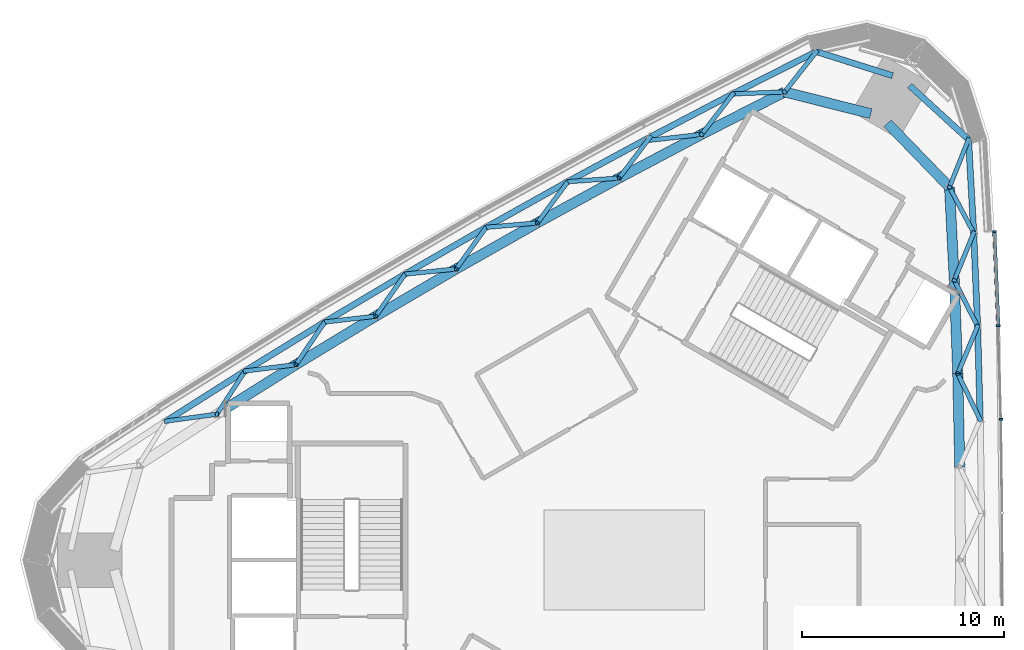
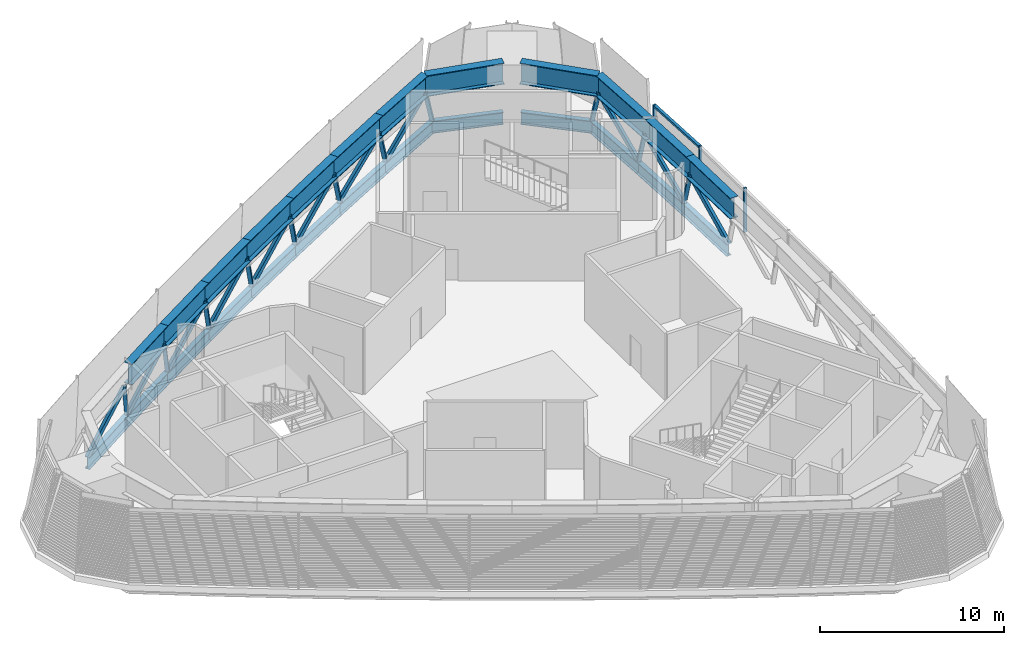
# One storey, part 3 of 18: 26 members, 25 beams, 1 element without a shape of its own.
"""IFC4 building model written with IfcOpenShell, lengths in metres."""

from ifc_helpers import new_model, si_unit, direction, frame, origin, origin_2d, place, context, subcontext, project, spatial, rectangle, hollow_rectangle, i_section, extrude, material, material_profile, profile_set, type_object, element, aggregate, save


model = new_model("IFC4")

# Units and contexts
model_context = context("Model", 3, precision=1e-05, world=origin(), true_north=direction((0.0, 1.0)))
body_context = subcontext(model_context, "Body", "Model", "MODEL_VIEW")
ifc_project = project(units=[si_unit("LENGTHUNIT", "METRE"), si_unit("AREAUNIT", "SQUARE_METRE"), si_unit("VOLUMEUNIT", "CUBIC_METRE"), si_unit("PLANEANGLEUNIT", "RADIAN"), si_unit("MASSUNIT", "GRAM", prefix="KILO")], contexts=[model_context])

# Site, building, storey
site_placement = place(None, origin())
site = spatial("IfcSite", under=ifc_project, at=site_placement, CompositionType="ELEMENT")
building_placement = place(site_placement, origin())
building = spatial("IfcBuilding", under=site, at=building_placement, Name="Tamra Quay Hotel Tower", CompositionType="ELEMENT")
storey_placement = place(building_placement, frame((0.0, 0.0, 211.60009765625)))
storey = spatial("IfcBuildingStorey", under=building, at=storey_placement, Name="L53", CompositionType="ELEMENT", Elevation=211.60009765625)

# Members
ifc_material_1 = material(Name="Structural steel IS 2062 E350", Category="steel")
ifc_material_profile_1 = material_profile(ifc_material_1, hollow_rectangle(XDim=0.219970703125, YDim=0.219970703125, WallThickness=0.010009765625, at=origin_2d()), Name="SHS 220x220x10")
ifc_profile_set_1 = profile_set([ifc_material_profile_1], Name="Structural steel IS 2062 E350")
member_type_1 = type_object("IfcMemberType", Name="BELT BRACE SHS 220x220x10 Z4", PredefinedType="BRACE", material=ifc_profile_set_1)
member_1_placement = place(storey_placement, frame((17.648193359375, 6.955810546875, -0.400146484375), z_axis=(-0.252722656728, 0.519888189175, 0.815994809746), x_axis=(-0.899368376917, -0.43719163144, 0.0)))
element("IfcMember", 1, at=member_1_placement, inside=storey, type_object=member_type_1, Name="BR-L53-011", PredefinedType="BRACE", context=body_context, shape_type="SweptSolid", body=[
    extrude(hollow_rectangle(XDim=0.219970703125, YDim=0.219970703125, WallThickness=0.010009765625, at=origin_2d()), origin(), (0.0, 0.0, 1.0), 4.411865234375),
])
member_2_placement = place(storey_placement, frame((17.519287109375, 11.592041015625, -0.400146484375), z_axis=(-0.223760595546, -0.53156298942, 0.81692838374), x_axis=(0.921669726135, -0.387975406343, 0.0)))
element("IfcMember", 2, at=member_2_placement, inside=storey, type_object=member_type_1, Name="BR-L53-012", PredefinedType="BRACE", context=body_context, shape_type="SweptSolid", body=[
    extrude(hollow_rectangle(XDim=0.219970703125, YDim=0.219970703125, WallThickness=0.010009765625, at=origin_2d()), origin(), (0.0, 0.0, 1.0), 4.406982421875),
])
member_3_placement = place(storey_placement, frame((17.519287109375, 11.592041015625, -0.400146484375), z_axis=(-0.261828359448, 0.516302300352, 0.815400419941), x_axis=(-0.891871918379, -0.452288051143, 0.0)))
element("IfcMember", 3, at=member_3_placement, inside=storey, type_object=member_type_1, Name="BR-L53-013", PredefinedType="BRACE", context=body_context, shape_type="SweptSolid", body=[
    extrude(hollow_rectangle(XDim=0.219970703125, YDim=0.219970703125, WallThickness=0.010009765625, at=origin_2d()), origin(), (0.0, 0.0, 1.0), 4.4150390625),
])
member_4_placement = place(storey_placement, frame((17.326416015625, 16.2255859375, -0.400146484375), z_axis=(-0.218501483996, -0.534040889401, 0.81673583853), x_axis=(0.925528606726, -0.378677696903, 0.0)))
element("IfcMember", 4, at=member_4_placement, inside=storey, type_object=member_type_1, Name="BR-L53-014", PredefinedType="BRACE", context=body_context, shape_type="SweptSolid", body=[
    extrude(hollow_rectangle(XDim=0.219970703125, YDim=0.219970703125, WallThickness=0.010009765625, at=origin_2d()), origin(), (0.0, 0.0, 1.0), 4.407958984375),
])
member_5_placement = place(storey_placement, frame((17.326416015625, 16.2255859375, -0.400146484375), z_axis=(-0.271713670741, 0.512549532589, 0.814533398809), x_axis=(-0.883528375642, -0.468377635498, 0.0)))
element("IfcMember", 5, at=member_5_placement, inside=storey, type_object=member_type_1, Name="BR-L53-015", PredefinedType="BRACE", context=body_context, shape_type="SweptSolid", body=[
    extrude(hollow_rectangle(XDim=0.219970703125, YDim=0.219970703125, WallThickness=0.010009765625, at=origin_2d()), origin(), (0.0, 0.0, 1.0), 4.419921875),
])
member_6_placement = place(storey_placement, frame((17.069580078125, 20.856201171875, -0.400146484375), z_axis=(-0.214089426408, -0.53635851126, 0.816385487928), x_axis=(0.928747512287, -0.370712905658, 0.0)))
element("IfcMember", 6, at=member_6_placement, inside=storey, type_object=member_type_1, Name="BR-L53-016", PredefinedType="BRACE", context=body_context, shape_type="SweptSolid", body=[
    extrude(hollow_rectangle(XDim=0.219970703125, YDim=0.219970703125, WallThickness=0.010009765625, at=origin_2d()), origin(), (0.0, 0.0, 1.0), 4.409912109375),
])
member_7_placement = place(storey_placement, frame((9.527099609375, 25.210693359375, -0.400146484375), z_axis=(-0.357436884836, -0.453550644451, 0.816413306039), x_axis=(0.785412575267, -0.618972605704, 0.0)))
element("IfcMember", 7, at=member_7_placement, inside=storey, type_object=member_type_1, Name="BR-L53-017", PredefinedType="BRACE", context=body_context, shape_type="SweptSolid", body=[
    extrude(hollow_rectangle(XDim=0.219970703125, YDim=0.219970703125, WallThickness=0.010009765625, at=origin_2d()), origin(), (0.0, 0.0, 1.0), 4.40966796875),
])
member_8_placement = place(storey_placement, frame((5.388427734375, 23.117919921875, -0.400146484375), z_axis=(0.579761276105, 0.020989832786, 0.814515984894), x_axis=(-0.036180564238, 0.999345269049, 0.0)))
element("IfcMember", 8, at=member_8_placement, inside=storey, type_object=member_type_1, Name="BR-L53-018", PredefinedType="BRACE", context=body_context, shape_type="SweptSolid", body=[
    extrude(hollow_rectangle(XDim=0.219970703125, YDim=0.219970703125, WallThickness=0.010009765625, at=origin_2d()), origin(), (0.0, 0.0, 1.0), 4.419921875),
])
member_9_placement = place(storey_placement, frame((5.388427734375, 23.117919921875, -0.400146484375), z_axis=(-0.353211676845, -0.456234057108, 0.816756999649), x_axis=(0.790725206585, -0.612171256816, 0.0)))
element("IfcMember", 9, at=member_9_placement, inside=storey, type_object=member_type_1, Name="BR-L53-019", PredefinedType="BRACE", context=body_context, shape_type="SweptSolid", body=[
    extrude(hollow_rectangle(XDim=0.219970703125, YDim=0.219970703125, WallThickness=0.010009765625, at=origin_2d()), origin(), (0.0, 0.0, 1.0), 4.40771484375),
])
member_10_placement = place(storey_placement, frame((1.279296875, 20.96826171875, -0.400146484375), z_axis=(-0.348469426738, -0.459547519044, 0.816936433494), x_axis=(0.796818850011, -0.60421827204, 0.0)))
element("IfcMember", 10, at=member_10_placement, inside=storey, type_object=member_type_1, Name="BR-L53-020", PredefinedType="BRACE", context=body_context, shape_type="SweptSolid", body=[
    extrude(hollow_rectangle(XDim=0.219970703125, YDim=0.219970703125, WallThickness=0.010009765625, at=origin_2d()), origin(), (0.0, 0.0, 1.0), 4.40673828125),
])
member_11_placement = place(storey_placement, frame((-2.80029296875, 18.76171875, -0.400146484375), z_axis=(0.576603938247, 0.041114848956, 0.81598864428), x_axis=(-0.071124597609, 0.997467438875, 0.0)))
element("IfcMember", 11, at=member_11_placement, inside=storey, type_object=member_type_1, Name="BR-L53-021", PredefinedType="BRACE", context=body_context, shape_type="SweptSolid", body=[
    extrude(hollow_rectangle(XDim=0.219970703125, YDim=0.219970703125, WallThickness=0.010009765625, at=origin_2d()), origin(), (0.0, 0.0, 1.0), 4.411865234375),
])
member_12_placement = place(storey_placement, frame((-2.80029296875, 18.76171875, -0.400146484375), z_axis=(-0.343101464201, -0.46354431632, 0.816950458761), x_axis=(0.803776667436, -0.59493114634, 0.0)))
element("IfcMember", 12, at=member_12_placement, inside=storey, type_object=member_type_1, Name="BR-L53-022", PredefinedType="BRACE", context=body_context, shape_type="SweptSolid", body=[
    extrude(hollow_rectangle(XDim=0.219970703125, YDim=0.219970703125, WallThickness=0.010009765625, at=origin_2d()), origin(), (0.0, 0.0, 1.0), 4.40673828125),
])
member_13_placement = place(storey_placement, frame((-6.84814453125, 16.498779296875, -0.400146484375), z_axis=(0.575152279908, 0.049945831951, 0.81652021946), x_axis=(-0.086513728131, 0.996250658642, 0.0)))
element("IfcMember", 13, at=member_13_placement, inside=storey, type_object=member_type_1, Name="BR-L53-023", PredefinedType="BRACE", context=body_context, shape_type="SweptSolid", body=[
    extrude(hollow_rectangle(XDim=0.219970703125, YDim=0.219970703125, WallThickness=0.010009765625, at=origin_2d()), origin(), (0.0, 0.0, 1.0), 4.4091796875),
])
for number, where, z_axis, x_axis, name in (
    (14, (-6.84814453125, 16.498779296875, -0.400146484375), (-0.337287130607, -0.468014282558, 0.816823128253), (0.811273822759, -0.584666387357, 0.0), "BR-L53-024"),
    (15, (-10.8642578125, 14.18017578125, -0.400146484375), (0.573936789026, 0.058052866992, 0.816839290703), (-0.100635047895, 0.994923407673, 0.0), "BR-L53-025"),
):
    element("IfcMember", number, at=place(storey_placement, frame(where, z_axis=z_axis, x_axis=x_axis)), inside=storey, type_object=member_type_1, Name=name, PredefinedType="BRACE", context=body_context, shape_type="SweptSolid", body=[
        extrude(hollow_rectangle(XDim=0.219970703125, YDim=0.219970703125, WallThickness=0.010009765625, at=origin_2d()), origin(), (0.0, 0.0, 1.0), 4.407470703125),
    ])
member_14_placement = place(storey_placement, frame((-10.8642578125, 14.18017578125, -0.400146484375), z_axis=(-0.330842366267, -0.473146112093, 0.816502348615), x_axis=(0.819524683827, -0.573043883659, 0.0)))
element("IfcMember", 16, at=member_14_placement, inside=storey, type_object=member_type_1, Name="BR-L53-026", PredefinedType="BRACE", context=body_context, shape_type="SweptSolid", body=[
    extrude(hollow_rectangle(XDim=0.219970703125, YDim=0.219970703125, WallThickness=0.010009765625, at=origin_2d()), origin(), (0.0, 0.0, 1.0), 4.4091796875),
])
member_15_placement = place(storey_placement, frame((-14.847900390625, 11.805908203125, -0.400146484375), z_axis=(0.572971568738, 0.06537482606, 0.816963716168), x_axis=(-0.113362345786, 0.993553711964, 0.0)))
element("IfcMember", 17, at=member_15_placement, inside=storey, type_object=member_type_1, Name="BR-L53-027", PredefinedType="BRACE", context=body_context, shape_type="SweptSolid", body=[
    extrude(hollow_rectangle(XDim=0.219970703125, YDim=0.219970703125, WallThickness=0.010009765625, at=origin_2d()), origin(), (0.0, 0.0, 1.0), 4.40673828125),
])
member_16_placement = place(storey_placement, frame((-14.847900390625, 11.805908203125, -0.400146484375), z_axis=(-0.323930951184, -0.478813549811, 0.815969560328), x_axis=(0.828261200999, -0.560342201623, 0.0)))
element("IfcMember", 18, at=member_16_placement, inside=storey, type_object=member_type_1, Name="BR-L53-028", PredefinedType="BRACE", context=body_context, shape_type="SweptSolid", body=[
    extrude(hollow_rectangle(XDim=0.219970703125, YDim=0.219970703125, WallThickness=0.010009765625, at=origin_2d()), origin(), (0.0, 0.0, 1.0), 4.412109375),
])
member_17_placement = place(storey_placement, frame((-18.798583984375, 9.376220703125, -0.400146484375), z_axis=(0.572190999156, 0.071967090231, 0.816956668624), x_axis=(-0.124791413197, 0.992182998843, 0.0)))
element("IfcMember", 19, at=member_17_placement, inside=storey, type_object=member_type_1, Name="BR-L53-029", PredefinedType="BRACE", context=body_context, shape_type="SweptSolid", body=[
    extrude(hollow_rectangle(XDim=0.219970703125, YDim=0.219970703125, WallThickness=0.010009765625, at=origin_2d()), origin(), (0.0, 0.0, 1.0), 4.40673828125),
])
member_18_placement = place(storey_placement, frame((-18.798583984375, 9.376220703125, -0.400146484375), z_axis=(-0.316230295814, -0.484934375641, 0.815375405154), x_axis=(0.837635297216, -0.546229904764, 0.0)))
element("IfcMember", 20, at=member_18_placement, inside=storey, type_object=member_type_1, Name="BR-L53-030", PredefinedType="BRACE", context=body_context, shape_type="SweptSolid", body=[
    extrude(hollow_rectangle(XDim=0.219970703125, YDim=0.219970703125, WallThickness=0.010009765625, at=origin_2d()), origin(), (0.0, 0.0, 1.0), 4.415283203125),
])
member_19_placement = place(storey_placement, frame((-22.71484375, 6.892333984375, -0.400146484375), z_axis=(0.571718294138, 0.077765208774, 0.816756245432), x_axis=(-0.134779059198, 0.990875675956, 0.0)))
element("IfcMember", 21, at=member_19_placement, inside=storey, type_object=member_type_1, Name="BR-L53-031", PredefinedType="BRACE", context=body_context, shape_type="SweptSolid", body=[
    extrude(hollow_rectangle(XDim=0.219970703125, YDim=0.219970703125, WallThickness=0.010009765625, at=origin_2d()), origin(), (0.0, 0.0, 1.0), 4.40771484375),
])
member_20_placement = place(storey_placement, frame((1.154541015625, 20.8037109375, -0.11865234375), z_axis=(0.626271464741, 0.07093745182, 0.776371000476), x_axis=(-0.112549789262, 0.993646086359, 0.0)))
element("IfcMember", 22, at=member_20_placement, inside=storey, type_object=member_type_1, Name="BR-L53-052B", PredefinedType="BRACE", context=body_context, shape_type="SweptSolid", body=[
    extrude(hollow_rectangle(XDim=0.219970703125, YDim=0.219970703125, WallThickness=0.010009765625, at=origin_2d()), origin(), (0.0, 0.0, 1.0), 4.2744140625),
])

# Beams
ifc_material_profile_2 = material_profile(ifc_material_1, i_section(OverallWidth=0.302978515625, OverallDepth=0.81396484375, WebThickness=0.02099609375, FlangeThickness=0.0400390625, at=origin_2d()), Name="WPB 800x300x317")
ifc_profile_set_2 = profile_set([ifc_material_profile_2], Name="Structural steel IS 2062 E350")
beam_type_1 = type_object("IfcBeamType", Name="BELT CHORD WPB 800x300x317 Z4", PredefinedType="BEAM", material=ifc_profile_set_2)
beam_1_placement = place(storey_placement, frame((17.648193359375, 6.955810546875, -0.80712890625), z_axis=(-0.027793366414, 0.999613689774, 0.0), x_axis=(-0.999613689774, -0.027793366414, 0.0)))
element("IfcBeam", 23, at=beam_1_placement, inside=storey, type_object=beam_type_1, Name="BM-CHB-L53-006", PredefinedType="BEAM", context=body_context, shape_type="SweptSolid", body=[
    extrude(i_section(OverallWidth=0.302978515625, OverallDepth=0.81396484375, WebThickness=0.02099609375, FlangeThickness=0.0400390625, at=origin_2d()), origin(), (0.0, 0.0, 1.0), 4.637939453125),
])
beam_2_placement = place(storey_placement, frame((17.519287109375, 11.592041015625, -0.80712890625), z_axis=(-0.041588940225, 0.999134805745, 0.0), x_axis=(-0.999134805745, -0.041588940225, 0.0)))
element("IfcBeam", 24, at=beam_2_placement, inside=storey, type_object=beam_type_1, Name="BM-CHB-L53-007", PredefinedType="BEAM", context=body_context, shape_type="SweptSolid", body=[
    extrude(i_section(OverallWidth=0.302978515625, OverallDepth=0.81396484375, WebThickness=0.02099609375, FlangeThickness=0.0400390625, at=origin_2d()), origin(), (0.0, 0.0, 1.0), 4.637451171875),
])
beam_3_placement = place(storey_placement, frame((17.326416015625, 16.2255859375, -0.80712890625), z_axis=(-0.055379636718, 0.998465370374, 0.0), x_axis=(-0.998465370374, -0.055379636718, 0.0)))
element("IfcBeam", 25, at=beam_3_placement, inside=storey, type_object=beam_type_1, Name="BM-CHB-L53-008", PredefinedType="BEAM", context=body_context, shape_type="SweptSolid", body=[
    extrude(i_section(OverallWidth=0.302978515625, OverallDepth=0.81396484375, WebThickness=0.02099609375, FlangeThickness=0.0400390625, at=origin_2d()), origin(), (0.0, 0.0, 1.0), 4.6376953125),
])
beam_4_placement = place(storey_placement, frame((17.069580078125, 20.856201171875, -0.80712890625), z_axis=(-0.737729632314, 0.67509628173, 0.0), x_axis=(-0.67509628173, -0.737729632314, 0.0)))
element("IfcBeam", 26, at=beam_4_placement, inside=storey, type_object=beam_type_1, Name="BM-CHB-L53-009", PredefinedType="BEAM", context=body_context, shape_type="SweptSolid", body=[
    extrude(i_section(OverallWidth=0.302978515625, OverallDepth=0.81396484375, WebThickness=0.02099609375, FlangeThickness=0.0400390625, at=origin_2d()), origin(), (0.0, 0.0, 1.0), 3.960205078125),
])
beam_5_placement = place(storey_placement, frame((13.302978515625, 24.017333984375, -0.80712890625), z_axis=(-0.953511824231, 0.301355605641, 0.0), x_axis=(-0.301355605641, -0.953511824231, 0.0)))
element("IfcBeam", 27, at=beam_5_placement, inside=storey, type_object=beam_type_1, Name="BM-CHB-L53-010", PredefinedType="BEAM", context=body_context, shape_type="SweptSolid", body=[
    extrude(i_section(OverallWidth=0.302978515625, OverallDepth=0.81396484375, WebThickness=0.02099609375, FlangeThickness=0.0400390625, at=origin_2d()), origin(), (0.0, 0.0, 1.0), 3.9599609375),
])
beam_6_placement = place(storey_placement, frame((9.527099609375, 25.210693359375, -0.80712890625), z_axis=(-0.892396579497, -0.451251974956, 0.0), x_axis=(0.451251974956, -0.892396579497, 0.0)))
element("IfcBeam", 28, at=beam_6_placement, inside=storey, type_object=beam_type_1, Name="BM-CHB-L53-011", PredefinedType="BEAM", context=body_context, shape_type="SweptSolid", body=[
    extrude(i_section(OverallWidth=0.302978515625, OverallDepth=0.81396484375, WebThickness=0.02099609375, FlangeThickness=0.0400390625, at=origin_2d()), origin(), (0.0, 0.0, 1.0), 4.6376953125),
])
beam_7_placement = place(storey_placement, frame((5.388427734375, 23.117919921875, -0.80712890625), z_axis=(-0.88607459412, -0.463542677275, 0.0), x_axis=(0.463542677275, -0.88607459412, 0.0)))
element("IfcBeam", 29, at=beam_7_placement, inside=storey, type_object=beam_type_1, Name="BM-CHB-L53-012", PredefinedType="BEAM", context=body_context, shape_type="SweptSolid", body=[
    extrude(i_section(OverallWidth=0.302978515625, OverallDepth=0.81396484375, WebThickness=0.02099609375, FlangeThickness=0.0400390625, at=origin_2d()), origin(), (0.0, 0.0, 1.0), 4.637451171875),
])
beam_8_placement = place(storey_placement, frame((1.279296875, 20.96826171875, -0.80712890625), z_axis=(-0.879583890062, -0.475743817976, 0.0), x_axis=(0.475743817976, -0.879583890062, 0.0)))
element("IfcBeam", 30, at=beam_8_placement, inside=storey, type_object=beam_type_1, Name="BM-CHB-L53-013", PredefinedType="BEAM", context=body_context, shape_type="SweptSolid", body=[
    extrude(i_section(OverallWidth=0.302978515625, OverallDepth=0.81396484375, WebThickness=0.02099609375, FlangeThickness=0.0400390625, at=origin_2d()), origin(), (0.0, 0.0, 1.0), 4.63818359375),
])
for number, where, z_axis, x_axis, name in (
    (31, (-2.80029296875, 18.76171875, -0.80712890625), (-0.87286038903, -0.487970020864, 0.0), (0.487970020864, -0.87286038903, 0.0), "BM-CHB-L53-014"),
    (32, (-6.84814453125, 16.498779296875, -0.80712890625), (-0.866034794193, -0.499983734982, 0.0), (0.499983734982, -0.866034794193, 0.0), "BM-CHB-L53-015"),
    (33, (-10.8642578125, 14.18017578125, -0.80712890625), (-0.859003520723, -0.51196967819, 0.0), (0.51196967819, -0.859003520723, 0.0), "BM-CHB-L53-016"),
):
    element("IfcBeam", number, at=place(storey_placement, frame(where, z_axis=z_axis, x_axis=x_axis)), inside=storey, type_object=beam_type_1, Name=name, PredefinedType="BEAM", context=body_context, shape_type="SweptSolid", body=[
        extrude(i_section(OverallWidth=0.302978515625, OverallDepth=0.81396484375, WebThickness=0.02099609375, FlangeThickness=0.0400390625, at=origin_2d()), origin(), (0.0, 0.0, 1.0), 4.637451171875),
    ])
beam_9_placement = place(storey_placement, frame((-14.847900390625, 11.805908203125, -0.80712890625), z_axis=(-0.851802871864, -0.52386245092, 0.0), x_axis=(0.52386245092, -0.851802871864, 0.0)))
element("IfcBeam", 34, at=beam_9_placement, inside=storey, type_object=beam_type_1, Name="BM-CHB-L53-017", PredefinedType="BEAM", context=body_context, shape_type="SweptSolid", body=[
    extrude(i_section(OverallWidth=0.302978515625, OverallDepth=0.81396484375, WebThickness=0.02099609375, FlangeThickness=0.0400390625, at=origin_2d()), origin(), (0.0, 0.0, 1.0), 4.637939453125),
])
beam_10_placement = place(storey_placement, frame((-18.798583984375, 9.376220703125, -0.80712890625), z_axis=(-0.844469087258, -0.535604294854, 0.0), x_axis=(0.535604294854, -0.844469087258, 0.0)))
element("IfcBeam", 35, at=beam_10_placement, inside=storey, type_object=beam_type_1, Name="BM-CHB-L53-018", PredefinedType="BEAM", context=body_context, shape_type="SweptSolid", body=[
    extrude(i_section(OverallWidth=0.302978515625, OverallDepth=0.81396484375, WebThickness=0.02099609375, FlangeThickness=0.0400390625, at=origin_2d()), origin(), (0.0, 0.0, 1.0), 4.637451171875),
])
ifc_material_profile_3 = material_profile(ifc_material_1, i_section(OverallWidth=0.5, OverallDepth=1.39990234375, WebThickness=0.02490234375, FlangeThickness=0.050048828125, at=origin_2d()), Name="WPG 1400x500x25x50")
ifc_profile_set_3 = profile_set([ifc_material_profile_3], Name="Structural steel IS 2062 E350")
beam_type_2 = type_object("IfcBeamType", Name="BELT TOP CHORD WPG 1400x500x25x50 Z4", PredefinedType="USERDEFINED", material=ifc_profile_set_3)
beam_11_placement = place(storey_placement, frame((16.63525390625, 4.625, 3.75), z_axis=(-0.022061992437, 0.999756604624, 0.0), x_axis=(-0.999756604624, -0.022061992437, 0.0)))
element("IfcBeam", 36, at=beam_11_placement, inside=storey, type_object=beam_type_2, Name="BM-CHT-L53-005", ObjectType="TRANSFER GIRDER", PredefinedType="USERDEFINED", context=body_context, shape_type="SweptSolid", body=[
    extrude(i_section(OverallWidth=0.5, OverallDepth=1.39990234375, WebThickness=0.02490234375, FlangeThickness=0.050048828125, at=origin_2d()), origin(), (0.0, 0.0, 1.0), 4.625732421875),
])
beam_12_placement = place(storey_placement, frame((16.533203125, 9.24951171875, 3.75), z_axis=(-0.036723084855, 0.999325480031, 0.0), x_axis=(-0.999325480031, -0.036723084855, 0.0)))
element("IfcBeam", 37, at=beam_12_placement, inside=storey, type_object=beam_type_2, Name="BM-CHT-L53-006", ObjectType="TRANSFER GIRDER", PredefinedType="USERDEFINED", context=body_context, shape_type="SweptSolid", body=[
    extrude(i_section(OverallWidth=0.5, OverallDepth=1.39990234375, WebThickness=0.02490234375, FlangeThickness=0.050048828125, at=origin_2d()), origin(), (0.0, 0.0, 1.0), 4.16162109375),
])
beam_13_placement = place(storey_placement, frame((16.38720703125, 13.404541015625, 3.75), z_axis=(-0.051386374415, 0.99867884754, 0.0), x_axis=(-0.99867884754, -0.051386374415, 0.0)))
element("IfcBeam", 38, at=beam_13_placement, inside=storey, type_object=beam_type_2, Name="BM-CHT-L53-007", ObjectType="TRANSFER GIRDER", PredefinedType="USERDEFINED", context=body_context, shape_type="SweptSolid", body=[
    extrude(i_section(OverallWidth=0.5, OverallDepth=1.39990234375, WebThickness=0.02490234375, FlangeThickness=0.050048828125, at=origin_2d()), origin(), (0.0, 0.0, 1.0), 5.09326171875),
])
beam_14_placement = place(storey_placement, frame((16.12548828125, 18.490966796875, 3.75), z_axis=(-0.6959416476, 0.718098338068, 0.0), x_axis=(-0.718098338068, -0.6959416476, 0.0)))
element("IfcBeam", 39, at=beam_14_placement, inside=storey, type_object=beam_type_2, Name="BM-CHT-L53-008", ObjectType="TRANSFER GIRDER", PredefinedType="USERDEFINED", context=body_context, shape_type="SweptSolid", body=[
    extrude(i_section(OverallWidth=0.5, OverallDepth=1.39990234375, WebThickness=0.02490234375, FlangeThickness=0.050048828125, at=origin_2d()), origin(), (0.0, 0.0, 1.0), 4.407470703125),
])
beam_15_placement = place(storey_placement, frame((12.225830078125, 22.136474609375, 3.75), z_axis=(-0.969848559092, 0.243708375785, 0.0), x_axis=(-0.243708375785, -0.969848559092, 0.0)))
element("IfcBeam", 40, at=beam_15_placement, inside=storey, type_object=beam_type_2, Name="BM-CHT-L53-009", ObjectType="TRANSFER GIRDER", PredefinedType="USERDEFINED", context=body_context, shape_type="SweptSolid", body=[
    extrude(i_section(OverallWidth=0.5, OverallDepth=1.39990234375, WebThickness=0.02490234375, FlangeThickness=0.050048828125, at=origin_2d()), origin(), (0.0, 0.0, 1.0), 4.40771484375),
])
beam_16_placement = place(storey_placement, frame((7.950927734375, 23.210693359375, 3.75), z_axis=(-0.890583885956, -0.454819021234, 0.0), x_axis=(0.454819021234, -0.890583885956, 0.0)))
element("IfcBeam", 41, at=beam_16_placement, inside=storey, type_object=beam_type_2, Name="BM-CHT-L53-010", ObjectType="TRANSFER GIRDER", PredefinedType="USERDEFINED", context=body_context, shape_type="SweptSolid", body=[
    extrude(i_section(OverallWidth=0.5, OverallDepth=1.39990234375, WebThickness=0.02490234375, FlangeThickness=0.050048828125, at=origin_2d()), origin(), (0.0, 0.0, 1.0), 4.62548828125),
])
beam_17_placement = place(storey_placement, frame((3.83154296875, 21.10693359375, 3.75), z_axis=(-0.883820012817, -0.467827088724, 0.0), x_axis=(0.467827088724, -0.883820012817, 0.0)))
element("IfcBeam", 42, at=beam_17_placement, inside=storey, type_object=beam_type_2, Name="BM-CHT-L53-011", ObjectType="TRANSFER GIRDER", PredefinedType="USERDEFINED", context=body_context, shape_type="SweptSolid", body=[
    extrude(i_section(OverallWidth=0.5, OverallDepth=1.39990234375, WebThickness=0.02490234375, FlangeThickness=0.050048828125, at=origin_2d()), origin(), (0.0, 0.0, 1.0), 4.625244140625),
])
beam_18_placement = place(storey_placement, frame((-0.25634765625, 18.943115234375, 3.75), z_axis=(-0.876820304317, -0.480818212985, 0.0), x_axis=(0.480818212985, -0.876820304317, 0.0)))
element("IfcBeam", 43, at=beam_18_placement, inside=storey, type_object=beam_type_2, Name="BM-CHT-L53-012", ObjectType="TRANSFER GIRDER", PredefinedType="USERDEFINED", context=body_context, shape_type="SweptSolid", body=[
    extrude(i_section(OverallWidth=0.5, OverallDepth=1.39990234375, WebThickness=0.02490234375, FlangeThickness=0.050048828125, at=origin_2d()), origin(), (0.0, 0.0, 1.0), 4.625732421875),
])
beam_19_placement = place(storey_placement, frame((-4.312255859375, 16.718994140625, 3.75), z_axis=(-0.869691427022, -0.49359580809, 0.0), x_axis=(0.49359580809, -0.869691427022, 0.0)))
element("IfcBeam", 44, at=beam_19_placement, inside=storey, type_object=beam_type_2, Name="BM-CHT-L53-013", ObjectType="TRANSFER GIRDER", PredefinedType="USERDEFINED", context=body_context, shape_type="SweptSolid", body=[
    extrude(i_section(OverallWidth=0.5, OverallDepth=1.39990234375, WebThickness=0.02490234375, FlangeThickness=0.050048828125, at=origin_2d()), origin(), (0.0, 0.0, 1.0), 4.625244140625),
])
beam_20_placement = place(storey_placement, frame((-8.334716796875, 14.43603515625, 3.75), z_axis=(-0.862312568749, -0.506376375612, 0.0), x_axis=(0.506376375612, -0.862312568749, 0.0)))
element("IfcBeam", 45, at=beam_20_placement, inside=storey, type_object=beam_type_2, Name="BM-CHT-L53-014", ObjectType="TRANSFER GIRDER", PredefinedType="USERDEFINED", context=body_context, shape_type="SweptSolid", body=[
    extrude(i_section(OverallWidth=0.5, OverallDepth=1.39990234375, WebThickness=0.02490234375, FlangeThickness=0.050048828125, at=origin_2d()), origin(), (0.0, 0.0, 1.0), 4.625),
])
beam_21_placement = place(storey_placement, frame((-12.322998046875, 12.093994140625, 3.75), z_axis=(-0.85479420464, -0.518967116216, 0.0), x_axis=(0.518967116216, -0.85479420464, 0.0)))
element("IfcBeam", 46, at=beam_21_placement, inside=storey, type_object=beam_type_2, Name="BM-CHT-L53-015", ObjectType="TRANSFER GIRDER", PredefinedType="USERDEFINED", context=body_context, shape_type="SweptSolid", body=[
    extrude(i_section(OverallWidth=0.5, OverallDepth=1.39990234375, WebThickness=0.02490234375, FlangeThickness=0.050048828125, at=origin_2d()), origin(), (0.0, 0.0, 1.0), 4.625732421875),
])
beam_22_placement = place(storey_placement, frame((-16.277099609375, 9.693359375, 3.75), z_axis=(-0.847057680052, -0.531500975225, 0.0), x_axis=(0.531500975225, -0.847057680052, 0.0)))
element("IfcBeam", 47, at=beam_22_placement, inside=storey, type_object=beam_type_2, Name="BM-CHT-L53-016", ObjectType="TRANSFER GIRDER", PredefinedType="USERDEFINED", context=body_context, shape_type="SweptSolid", body=[
    extrude(i_section(OverallWidth=0.5, OverallDepth=1.39990234375, WebThickness=0.02490234375, FlangeThickness=0.050048828125, at=origin_2d()), origin(), (0.0, 0.0, 1.0), 4.16162109375),
])

# Curtain wall, members
ifc_material_2 = material(Name="Aluminium 6063 anodised dark grey", Category="aluminium")
curtain_wall_type = type_object("IfcCurtainWallType", Name="CW1 CURTAIN WALL", PredefinedType="NOTDEFINED", material=ifc_material_2)
curtain_wall_placement = place(storey_placement, origin())
curtain_wall = element("IfcCurtainWall", 48, at=curtain_wall_placement, inside=storey, type_object=curtain_wall_type, Name="CW1 east face L53", PredefinedType="NOTDEFINED")
ifc_material_profile_4 = material_profile(ifc_material_2, rectangle(XDim=0.179931640625, YDim=0.10009765625, at=origin_2d()), Name="MULLION 100X180")
ifc_profile_set_4 = profile_set([ifc_material_profile_4], Name="Aluminium 6063 anodised dark grey")
member_type_2 = type_object("IfcMemberType", Name="MULLION CW1 Z4", PredefinedType="MULLION", material=ifc_profile_set_4)
member_21_placement = place(storey_placement, frame((18.6728515625, 6.9775390625, 0.0), z_axis=(0.0, 0.0, 1.0), x_axis=(0.999783235847, 0.020820214181, 0.0)))
member_21 = element("IfcMember", 49, at=member_21_placement, type_object=member_type_2, Name="CW1 mullion L53.E.6", PredefinedType="MULLION", context=body_context, shape_type="SweptSolid", body=[
    extrude(rectangle(XDim=0.179931640625, YDim=0.10009765625, at=origin_2d()), origin(), (0.0, 0.0, 1.0), 2.949951171875),
])
member_22_placement = place(storey_placement, frame((18.543701171875, 11.627197265625, 0.0), z_axis=(0.0, 0.0, 1.0), x_axis=(0.999398541761, 0.034677870833, 0.0)))
member_22 = element("IfcMember", 50, at=member_22_placement, type_object=member_type_2, Name="CW1 mullion L53.E.7", PredefinedType="MULLION", context=body_context, shape_type="SweptSolid", body=[
    extrude(rectangle(XDim=0.179931640625, YDim=0.10009765625, at=origin_2d()), origin(), (0.0, 0.0, 1.0), 2.949951171875),
])
member_23_placement = place(storey_placement, frame((18.350341796875, 16.27490234375, 0.0), z_axis=(0.0, 0.0, 1.0), x_axis=(0.998822694834, 0.048510043141, 0.0)))
member_23 = element("IfcMember", 51, at=member_23_placement, type_object=member_type_2, Name="CW1 mullion L53.E.8", PredefinedType="MULLION", context=body_context, shape_type="SweptSolid", body=[
    extrude(rectangle(XDim=0.179931640625, YDim=0.10009765625, at=origin_2d()), origin(), (0.0, 0.0, 1.0), 2.949951171875),
])
ifc_material_profile_5 = material_profile(ifc_material_2, rectangle(XDim=0.179931640625, YDim=0.139892578125, at=origin_2d()), Name="TRANSOM 180X140")
ifc_profile_set_5 = profile_set([ifc_material_profile_5], Name="Aluminium 6063 anodised dark grey")
member_type_3 = type_object("IfcMemberType", Name="TRANSOM CW1 Z4", PredefinedType="USERDEFINED", material=ifc_profile_set_5)
member_24_placement = place(storey_placement, frame((18.541748046875, 11.677001953125, 2.8798828125), z_axis=(-0.041619390484, 0.999133537789, 0.0), x_axis=(-0.999133537789, -0.041619390484, 0.0)))
member_24 = element("IfcMember", 52, at=member_24_placement, type_object=member_type_3, Name="CW1 transom L53.E.7", ObjectType="TRANSOM", PredefinedType="USERDEFINED", context=body_context, shape_type="SweptSolid", body=[
    extrude(rectangle(XDim=0.179931640625, YDim=0.139892578125, at=origin_2d()), origin(), (0.0, 0.0, 1.0), 4.552001953125),
])
aggregate(curtain_wall, [member_21, member_22, member_24, member_23])

save(model, "model.ifc")
